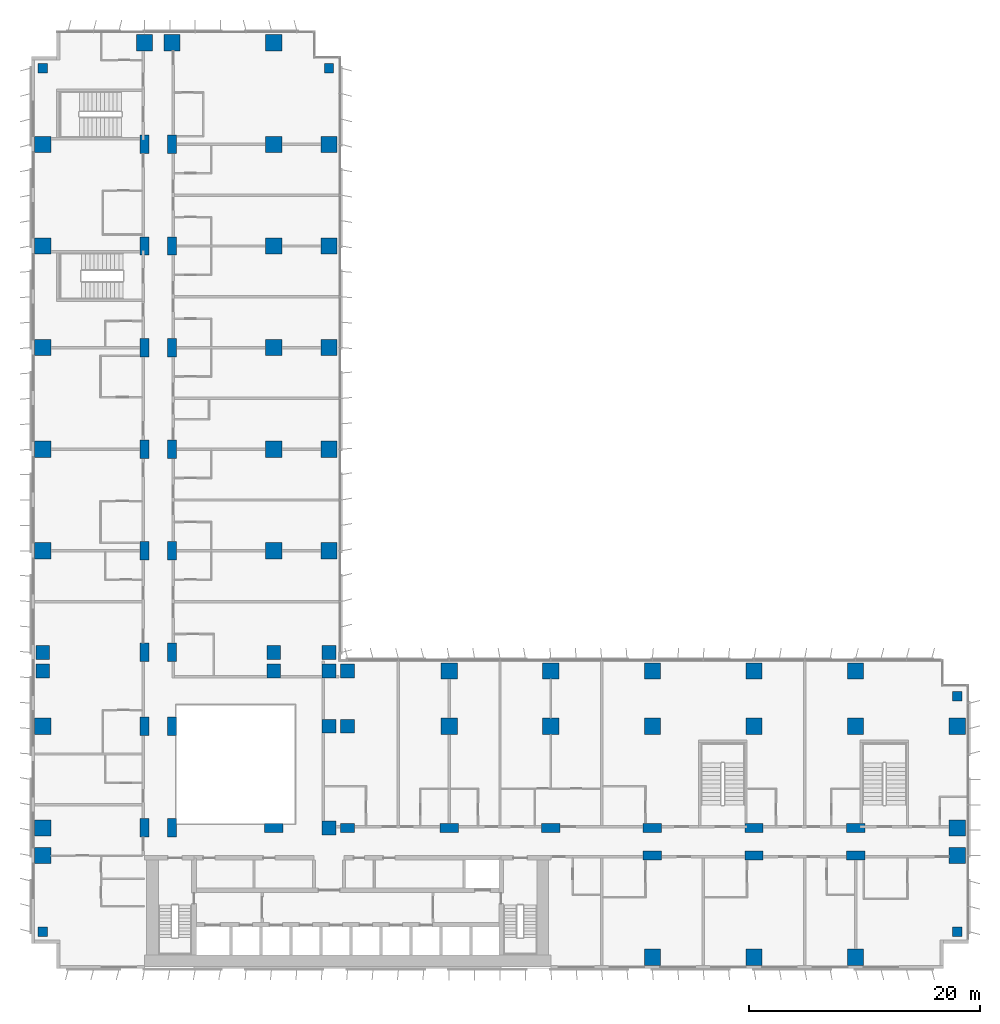
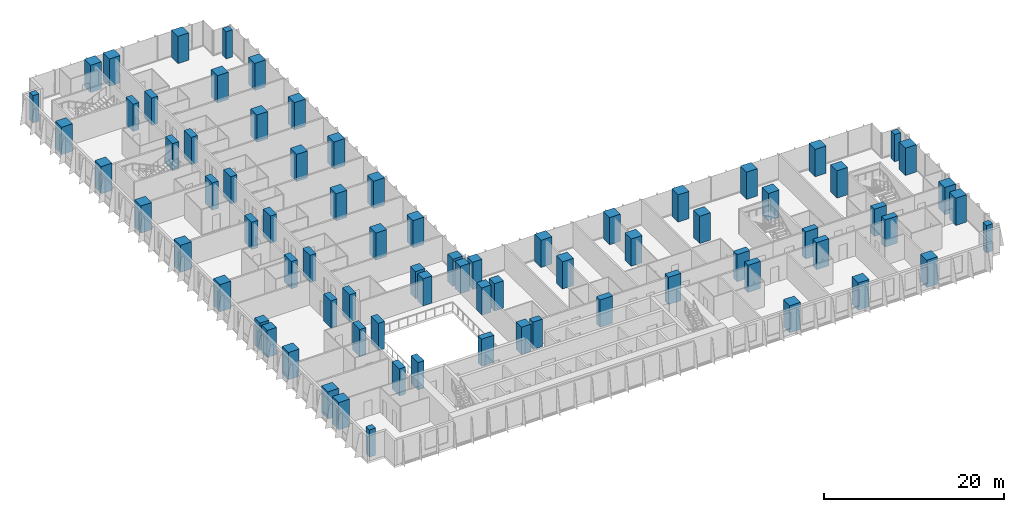
# One storey, part 1 of 24: 78 columns.
"""IFC4 building model written with IfcOpenShell, lengths in metres."""

from ifc_helpers import new_model, si_unit, direction, frame, origin, origin_2d, place, context, subcontext, project, spatial, rectangle, extrude, material, material_profile, profile_set, type_object, element, save


model = new_model("IFC4")

# Units and contexts
model_context = context("Model", 3, precision=1e-05, world=origin(), true_north=direction((0.0, 1.0)))
body_context = subcontext(model_context, "Body", "Model", "MODEL_VIEW")
ifc_project = project(units=[si_unit("LENGTHUNIT", "METRE"), si_unit("AREAUNIT", "SQUARE_METRE"), si_unit("VOLUMEUNIT", "CUBIC_METRE"), si_unit("PLANEANGLEUNIT", "RADIAN"), si_unit("MASSUNIT", "GRAM", prefix="KILO")], contexts=[model_context])

# Site, building, storey
site_placement = place(None, origin())
site = spatial("IfcSite", under=ifc_project, at=site_placement, CompositionType="ELEMENT")
building_placement = place(site_placement, origin())
building = spatial("IfcBuilding", under=site, at=building_placement, Name="Kemantara Hotel Tower", CompositionType="ELEMENT")
storey_placement = place(building_placement, frame((0.0, 0.0, 56.199951171875)))
storey = spatial("IfcBuildingStorey", under=building, at=storey_placement, Name="L12", CompositionType="ELEMENT", Elevation=56.199951171875)

# Columns
ifc_material = material(Name="Concrete fc 70 MPa", Category="concrete")
ifc_material_profile_1 = material_profile(ifc_material, rectangle(XDim=1.199951171875, YDim=1.199951171875, at=origin_2d()), Name="RC 1200X1200")
ifc_profile_set_1 = profile_set([ifc_material_profile_1], Name="Concrete fc 70 MPa")
column_type_1 = type_object("IfcColumnType", Name="RC COLUMN 1200X1200 FC70", PredefinedType="COLUMN", material=ifc_profile_set_1)
for number, where, z_axis, x_axis, name in (
    (1, (1.0, 25.800048828125, 0.0), (0.0, 0.0, 1.0), (1.0, 0.0, 0.0), "COLUMN 1/CA L12"),
    (2, (1.0, 27.39990234375, 0.0), (0.0, 0.0, 1.0), (1.0, 0.0, 0.0), "COLUMN 1/D L12"),
    (3, (21.0, 25.800048828125, 0.0), (0.0, 0.0, 1.0), (1.0, 0.0, 0.0), "COLUMN 3/CA L12"),
    (4, (21.0, 27.39990234375, 0.0), (0.0, 0.0, 1.0), (1.0, 0.0, 0.0), "COLUMN 3/D L12"),
    (5, (25.800048828125, 12.199951171875, 0.0), (0.0, 0.0, 1.0), (1.0, 0.0, 0.0), "COLUMN 3A/BA L12"),
    (6, (25.800048828125, 21.0, 0.0), (0.0, 0.0, 1.0), (1.0, 0.0, 0.0), "COLUMN 3A/C L12"),
    (7, (25.800048828125, 25.800048828125, 0.0), (0.0, 0.0, 1.0), (1.0, 0.0, 0.0), "COLUMN 3A/CA L12"),
    (8, (25.800048828125, 27.39990234375, 0.0), (0.0, 0.0, 1.0), (1.0, 0.0, 0.0), "COLUMN 3A/D L12"),
    (9, (27.39990234375, 21.0, 0.0), (0.0, 0.0, 1.0), (1.0, 0.0, 0.0), "COLUMN 4/C L12"),
    (10, (27.39990234375, 25.800048828125, 0.0), (0.0, 0.0, 1.0), (1.0, 0.0, 0.0), "COLUMN 4/CA L12"),
):
    element("IfcColumn", number, at=place(storey_placement, frame(where, z_axis=z_axis, x_axis=x_axis)), inside=storey, type_object=column_type_1, Name=name, PredefinedType="COLUMN", context=body_context, shape_type="SweptSolid", body=[
        extrude(rectangle(XDim=1.199951171875, YDim=1.199951171875, at=origin_2d()), origin(), (0.0, 0.0, 1.0), 3.699951171875),
    ])
ifc_material_profile_2 = material_profile(ifc_material, rectangle(XDim=1.199951171875, YDim=0.800048828125, at=origin_2d()), Name="RC 1200X800")
ifc_profile_set_2 = profile_set([ifc_material_profile_2], Name="Concrete fc 70 MPa")
column_type_2 = type_object("IfcColumnType", Name="RC COLUMN 1200X800 FC70", PredefinedType="COLUMN", material=ifc_profile_set_2)
column_placement = place(storey_placement, frame((27.39990234375, 12.199951171875, 0.0), z_axis=(0.0, 0.0, 1.0), x_axis=(1.0, 0.0, 0.0)))
element("IfcColumn", 11, at=column_placement, inside=storey, type_object=column_type_2, Name="COLUMN 4/BA L12", PredefinedType="COLUMN", context=body_context, shape_type="SweptSolid", body=[
    extrude(rectangle(XDim=1.199951171875, YDim=0.800048828125, at=origin_2d()), origin(), (0.0, 0.0, 1.0), 3.699951171875),
])
ifc_material_profile_3 = material_profile(ifc_material, rectangle(XDim=1.39990234375, YDim=1.39990234375, at=origin_2d()), Name="RC 1400X1400")
ifc_profile_set_3 = profile_set([ifc_material_profile_3], Name="Concrete fc 70 MPa")
column_type_3 = type_object("IfcColumnType", Name="RC COLUMN 1400X1400 FC70", PredefinedType="COLUMN", material=ifc_profile_set_3)
for number, where, z_axis, x_axis, name in (
    (12, (1.0, 9.800048828125, 0.0), (0.0, 0.0, 1.0), (1.0, 0.0, 0.0), "COLUMN 1/B L12"),
    (13, (1.0, 12.199951171875, 0.0), (0.0, 0.0, 1.0), (1.0, 0.0, 0.0), "COLUMN 1/BA L12"),
    (14, (1.0, 21.0, 0.0), (0.0, 0.0, 1.0), (1.0, 0.0, 0.0), "COLUMN 1/C L12"),
    (15, (1.0, 36.199951171875, 0.0), (0.0, 0.0, 1.0), (1.0, 0.0, 0.0), "COLUMN 1/E L12"),
    (16, (1.0, 45.0, 0.0), (0.0, 0.0, 1.0), (1.0, 0.0, 0.0), "COLUMN 1/F L12"),
    (17, (1.0, 53.800048828125, 0.0), (0.0, 0.0, 1.0), (1.0, 0.0, 0.0), "COLUMN 1/G L12"),
    (18, (1.0, 62.60009765625, 0.0), (0.0, 0.0, 1.0), (1.0, 0.0, 0.0), "COLUMN 1/H L12"),
    (19, (1.0, 71.39990234375, 0.0), (0.0, 0.0, 1.0), (1.0, 0.0, 0.0), "COLUMN 1/J L12"),
    (20, (9.800048828125, 80.199951171875, 0.0), (0.0, 0.0, 1.0), (1.0, 0.0, 0.0), "COLUMN 2/K L12"),
    (21, (12.199951171875, 80.199951171875, 0.0), (0.0, 0.0, 1.0), (1.0, 0.0, 0.0), "COLUMN 2A/K L12"),
    (22, (21.0, 36.199951171875, 0.0), (0.0, 0.0, 1.0), (1.0, 0.0, 0.0), "COLUMN 3/E L12"),
    (23, (21.0, 45.0, 0.0), (0.0, 0.0, 1.0), (1.0, 0.0, 0.0), "COLUMN 3/F L12"),
    (24, (21.0, 53.800048828125, 0.0), (0.0, 0.0, 1.0), (1.0, 0.0, 0.0), "COLUMN 3/G L12"),
    (25, (21.0, 62.60009765625, 0.0), (0.0, 0.0, 1.0), (1.0, 0.0, 0.0), "COLUMN 3/H L12"),
    (26, (21.0, 71.39990234375, 0.0), (0.0, 0.0, 1.0), (1.0, 0.0, 0.0), "COLUMN 3/J L12"),
    (27, (21.0, 80.199951171875, 0.0), (0.0, 0.0, 1.0), (1.0, 0.0, 0.0), "COLUMN 3/K L12"),
    (28, (25.800048828125, 36.199951171875, 0.0), (0.0, 0.0, 1.0), (1.0, 0.0, 0.0), "COLUMN 3A/E L12"),
    (29, (25.800048828125, 45.0, 0.0), (0.0, 0.0, 1.0), (1.0, 0.0, 0.0), "COLUMN 3A/F L12"),
    (30, (25.800048828125, 53.800048828125, 0.0), (0.0, 0.0, 1.0), (1.0, 0.0, 0.0), "COLUMN 3A/G L12"),
    (31, (25.800048828125, 62.60009765625, 0.0), (0.0, 0.0, 1.0), (1.0, 0.0, 0.0), "COLUMN 3A/H L12"),
    (32, (25.800048828125, 71.39990234375, 0.0), (0.0, 0.0, 1.0), (1.0, 0.0, 0.0), "COLUMN 3A/J L12"),
    (33, (36.199951171875, 21.0, 0.0), (0.0, 0.0, 1.0), (1.0, 0.0, 0.0), "COLUMN 5/C L12"),
    (34, (36.199951171875, 25.800048828125, 0.0), (0.0, 0.0, 1.0), (1.0, 0.0, 0.0), "COLUMN 5/CA L12"),
    (35, (45.0, 21.0, 0.0), (0.0, 0.0, 1.0), (1.0, 0.0, 0.0), "COLUMN 6/C L12"),
    (36, (45.0, 25.800048828125, 0.0), (0.0, 0.0, 1.0), (1.0, 0.0, 0.0), "COLUMN 6/CA L12"),
    (37, (53.800048828125, 1.0, 0.0), (0.0, 0.0, 1.0), (1.0, 0.0, 0.0), "COLUMN 7/A L12"),
    (38, (53.800048828125, 21.0, 0.0), (0.0, 0.0, 1.0), (1.0, 0.0, 0.0), "COLUMN 7/C L12"),
    (39, (53.800048828125, 25.800048828125, 0.0), (0.0, 0.0, 1.0), (1.0, 0.0, 0.0), "COLUMN 7/CA L12"),
    (40, (62.60009765625, 1.0, 0.0), (0.0, 0.0, 1.0), (1.0, 0.0, 0.0), "COLUMN 8/A L12"),
    (41, (62.60009765625, 21.0, 0.0), (0.0, 0.0, 1.0), (1.0, 0.0, 0.0), "COLUMN 8/C L12"),
    (42, (62.60009765625, 25.800048828125, 0.0), (0.0, 0.0, 1.0), (1.0, 0.0, 0.0), "COLUMN 8/CA L12"),
    (43, (71.39990234375, 1.0, 0.0), (0.0, 0.0, 1.0), (1.0, 0.0, 0.0), "COLUMN 9/A L12"),
    (44, (71.39990234375, 21.0, 0.0), (0.0, 0.0, 1.0), (1.0, 0.0, 0.0), "COLUMN 9/C L12"),
    (45, (71.39990234375, 25.800048828125, 0.0), (0.0, 0.0, 1.0), (1.0, 0.0, 0.0), "COLUMN 9/CA L12"),
    (46, (80.199951171875, 9.800048828125, 0.0), (0.0, 0.0, 1.0), (1.0, 0.0, 0.0), "COLUMN 10/B L12"),
    (47, (80.199951171875, 12.199951171875, 0.0), (0.0, 0.0, 1.0), (1.0, 0.0, 0.0), "COLUMN 10/BA L12"),
    (48, (80.199951171875, 21.0, 0.0), (0.0, 0.0, 1.0), (1.0, 0.0, 0.0), "COLUMN 10/C L12"),
):
    element("IfcColumn", number, at=place(storey_placement, frame(where, z_axis=z_axis, x_axis=x_axis)), inside=storey, type_object=column_type_3, Name=name, PredefinedType="COLUMN", context=body_context, shape_type="SweptSolid", body=[
        extrude(rectangle(XDim=1.39990234375, YDim=1.39990234375, at=origin_2d()), origin(), (0.0, 0.0, 1.0), 3.699951171875),
    ])
ifc_material_profile_4 = material_profile(ifc_material, rectangle(XDim=1.60009765625, YDim=0.800048828125, at=origin_2d()), Name="RC 1600X800")
ifc_profile_set_4 = profile_set([ifc_material_profile_4], Name="Concrete fc 70 MPa")
column_type_4 = type_object("IfcColumnType", Name="RC COLUMN 1600X800 FC70", PredefinedType="COLUMN", material=ifc_profile_set_4)
for number, where, z_axis, x_axis, name in (
    (49, (9.800048828125, 12.199951171875, 0.0), (0.0, 0.0, 1.0), (0.0, 1.0, 0.0), "COLUMN 2/BA L12"),
    (50, (9.800048828125, 21.0, 0.0), (0.0, 0.0, 1.0), (0.0, 1.0, 0.0), "COLUMN 2/C L12"),
    (51, (9.800048828125, 27.39990234375, 0.0), (0.0, 0.0, 1.0), (0.0, 1.0, 0.0), "COLUMN 2/D L12"),
    (52, (9.800048828125, 36.199951171875, 0.0), (0.0, 0.0, 1.0), (0.0, 1.0, 0.0), "COLUMN 2/E L12"),
    (53, (9.800048828125, 45.0, 0.0), (0.0, 0.0, 1.0), (0.0, 1.0, 0.0), "COLUMN 2/F L12"),
    (54, (9.800048828125, 53.800048828125, 0.0), (0.0, 0.0, 1.0), (0.0, 1.0, 0.0), "COLUMN 2/G L12"),
    (55, (9.800048828125, 62.60009765625, 0.0), (0.0, 0.0, 1.0), (0.0, 1.0, 0.0), "COLUMN 2/H L12"),
    (56, (9.800048828125, 71.39990234375, 0.0), (0.0, 0.0, 1.0), (0.0, 1.0, 0.0), "COLUMN 2/J L12"),
    (57, (12.199951171875, 12.199951171875, 0.0), (0.0, 0.0, 1.0), (0.0, 1.0, 0.0), "COLUMN 2A/BA L12"),
    (58, (12.199951171875, 21.0, 0.0), (0.0, 0.0, 1.0), (0.0, 1.0, 0.0), "COLUMN 2A/C L12"),
    (59, (12.199951171875, 27.39990234375, 0.0), (0.0, 0.0, 1.0), (0.0, 1.0, 0.0), "COLUMN 2A/D L12"),
    (60, (12.199951171875, 36.199951171875, 0.0), (0.0, 0.0, 1.0), (0.0, 1.0, 0.0), "COLUMN 2A/E L12"),
    (61, (12.199951171875, 45.0, 0.0), (0.0, 0.0, 1.0), (0.0, 1.0, 0.0), "COLUMN 2A/F L12"),
    (62, (12.199951171875, 53.800048828125, 0.0), (0.0, 0.0, 1.0), (0.0, 1.0, 0.0), "COLUMN 2A/G L12"),
    (63, (12.199951171875, 62.60009765625, 0.0), (0.0, 0.0, 1.0), (0.0, 1.0, 0.0), "COLUMN 2A/H L12"),
    (64, (12.199951171875, 71.39990234375, 0.0), (0.0, 0.0, 1.0), (0.0, 1.0, 0.0), "COLUMN 2A/J L12"),
    (65, (21.0, 12.199951171875, 0.0), (0.0, 0.0, 1.0), (1.0, 0.0, 0.0), "COLUMN 3/BA L12"),
    (66, (36.199951171875, 12.199951171875, 0.0), (0.0, 0.0, 1.0), (1.0, 0.0, 0.0), "COLUMN 5/BA L12"),
    (67, (45.0, 12.199951171875, 0.0), (0.0, 0.0, 1.0), (1.0, 0.0, 0.0), "COLUMN 6/BA L12"),
    (68, (53.800048828125, 9.800048828125, 0.0), (0.0, 0.0, 1.0), (1.0, 0.0, 0.0), "COLUMN 7/B L12"),
    (69, (53.800048828125, 12.199951171875, 0.0), (0.0, 0.0, 1.0), (1.0, 0.0, 0.0), "COLUMN 7/BA L12"),
    (70, (62.60009765625, 9.800048828125, 0.0), (0.0, 0.0, 1.0), (1.0, 0.0, 0.0), "COLUMN 8/B L12"),
    (71, (62.60009765625, 12.199951171875, 0.0), (0.0, 0.0, 1.0), (1.0, 0.0, 0.0), "COLUMN 8/BA L12"),
    (72, (71.39990234375, 9.800048828125, 0.0), (0.0, 0.0, 1.0), (1.0, 0.0, 0.0), "COLUMN 9/B L12"),
    (73, (71.39990234375, 12.199951171875, 0.0), (0.0, 0.0, 1.0), (1.0, 0.0, 0.0), "COLUMN 9/BA L12"),
):
    element("IfcColumn", number, at=place(storey_placement, frame(where, z_axis=z_axis, x_axis=x_axis)), inside=storey, type_object=column_type_4, Name=name, PredefinedType="COLUMN", context=body_context, shape_type="SweptSolid", body=[
        extrude(rectangle(XDim=1.60009765625, YDim=0.800048828125, at=origin_2d()), origin(), (0.0, 0.0, 1.0), 3.699951171875),
    ])
ifc_material_profile_5 = material_profile(ifc_material, rectangle(XDim=0.800048828125, YDim=0.800048828125, at=origin_2d()), Name="RC 800X800")
ifc_profile_set_5 = profile_set([ifc_material_profile_5], Name="Concrete fc 70 MPa")
column_type_5 = type_object("IfcColumnType", Name="RC COLUMN 800X800 FC70", PredefinedType="COLUMN", material=ifc_profile_set_5)
for number, where, z_axis, x_axis, name in (
    (74, (1.0, 3.199951171875, 0.0), (0.0, 0.0, 1.0), (1.0, 0.0, 0.0), "COLUMN notch corner L12"),
    (75, (1.0, 78.0, 0.0), (0.0, 0.0, 1.0), (1.0, 0.0, 0.0), "COLUMN notch corner L12"),
    (76, (25.800048828125, 78.0, 0.0), (0.0, 0.0, 1.0), (1.0, 0.0, 0.0), "COLUMN notch corner L12"),
    (77, (80.199951171875, 3.199951171875, 0.0), (0.0, 0.0, 1.0), (1.0, 0.0, 0.0), "COLUMN notch corner L12"),
    (78, (80.199951171875, 23.60009765625, 0.0), (0.0, 0.0, 1.0), (1.0, 0.0, 0.0), "COLUMN notch corner L12"),
):
    element("IfcColumn", number, at=place(storey_placement, frame(where, z_axis=z_axis, x_axis=x_axis)), inside=storey, type_object=column_type_5, Name=name, PredefinedType="COLUMN", context=body_context, shape_type="SweptSolid", body=[
        extrude(rectangle(XDim=0.800048828125, YDim=0.800048828125, at=origin_2d()), origin(), (0.0, 0.0, 1.0), 3.699951171875),
    ])

save(model, "model.ifc")
